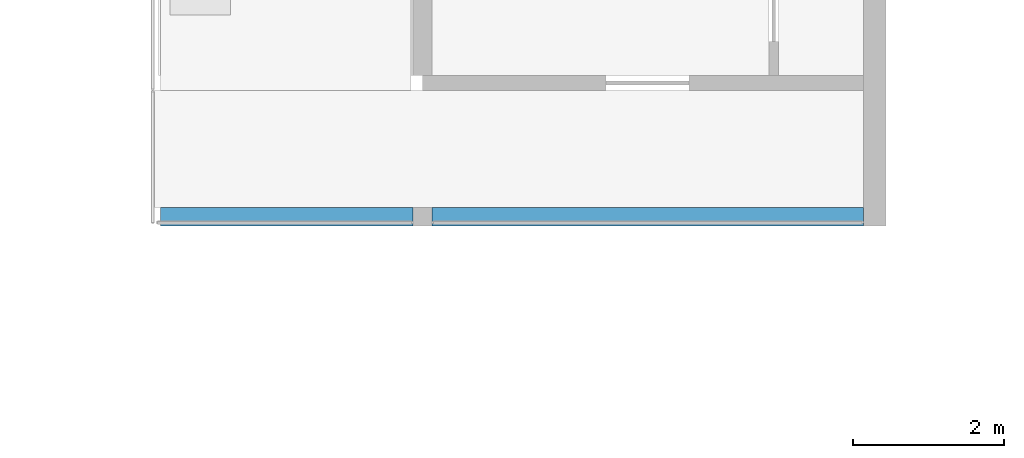
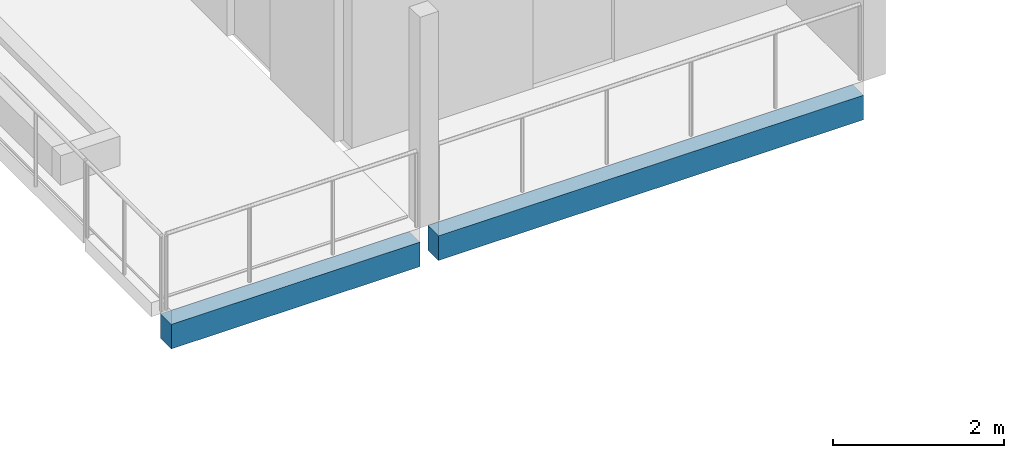
# One storey, part 16 of 55: 2 beams.
"""IFC4 building model written with IfcOpenShell, lengths in metres."""

from ifc_helpers import new_model, si_unit, direction, frame, origin, origin_2d, place, context, subcontext, project, spatial, rectangle, extrude, material, material_profile, profile_set, type_object, element, save


model = new_model("IFC4")

# Units and contexts
model_context = context("Model", 3, precision=1e-05, world=origin(), true_north=direction((0.0, 1.0)))
body_context = subcontext(model_context, "Body", "Model", "MODEL_VIEW")
ifc_project = project(units=[si_unit("LENGTHUNIT", "METRE"), si_unit("AREAUNIT", "SQUARE_METRE"), si_unit("VOLUMEUNIT", "CUBIC_METRE"), si_unit("PLANEANGLEUNIT", "RADIAN"), si_unit("MASSUNIT", "GRAM", prefix="KILO")], contexts=[model_context])

# Site, building, storey
site_placement = place(None, origin())
site = spatial("IfcSite", under=ifc_project, at=site_placement, CompositionType="ELEMENT")
building_placement = place(site_placement, origin())
building = spatial("IfcBuilding", under=site, at=building_placement, Name="Ridgestep Commons", CompositionType="ELEMENT")
storey_placement = place(building_placement, frame((0.0, 0.0, 36.0)))
storey = spatial("IfcBuildingStorey", under=building, at=storey_placement, Name="L12", CompositionType="ELEMENT", Elevation=36.0)

# Beams
ifc_material = material(Name="Precast concrete C40/50", Category="concrete")
ifc_material_profile = material_profile(ifc_material, rectangle(XDim=0.25, YDim=0.35009765625, at=origin_2d()), Name="PC 250x350")
ifc_profile_set = profile_set([ifc_material_profile], Name="Precast concrete C40/50")
beam_type = type_object("IfcBeamType", Name="Loggia edge beam 250 x 350", PredefinedType="SPANDREL", material=ifc_profile_set)
beam_1_placement = place(storey_placement, frame((221.324951171875, 66.125, -0.375), z_axis=(1.0, 0.0, 0.0), x_axis=(0.0, 1.0, 0.0)))
element("IfcBeam", 1, at=beam_1_placement, inside=storey, type_object=beam_type, Name="Loggia edge beam C5T3 L12", PredefinedType="SPANDREL", context=body_context, shape_type="SweptSolid", body=[
    extrude(rectangle(XDim=0.25, YDim=0.35009765625, at=origin_2d()), origin(), (0.0, 0.0, 1.0), 3.35009765625),
])
beam_2_placement = place(storey_placement, frame((224.925048828125, 66.125, -0.375), z_axis=(1.0, 0.0, 0.0), x_axis=(0.0, 1.0, 0.0)))
element("IfcBeam", 2, at=beam_2_placement, inside=storey, type_object=beam_type, Name="Loggia edge beam C5C L12", PredefinedType="SPANDREL", context=body_context, shape_type="SweptSolid", body=[
    extrude(rectangle(XDim=0.25, YDim=0.35009765625, at=origin_2d()), origin(), (0.0, 0.0, 1.0), 5.724853515625),
])

save(model, "model.ifc")
